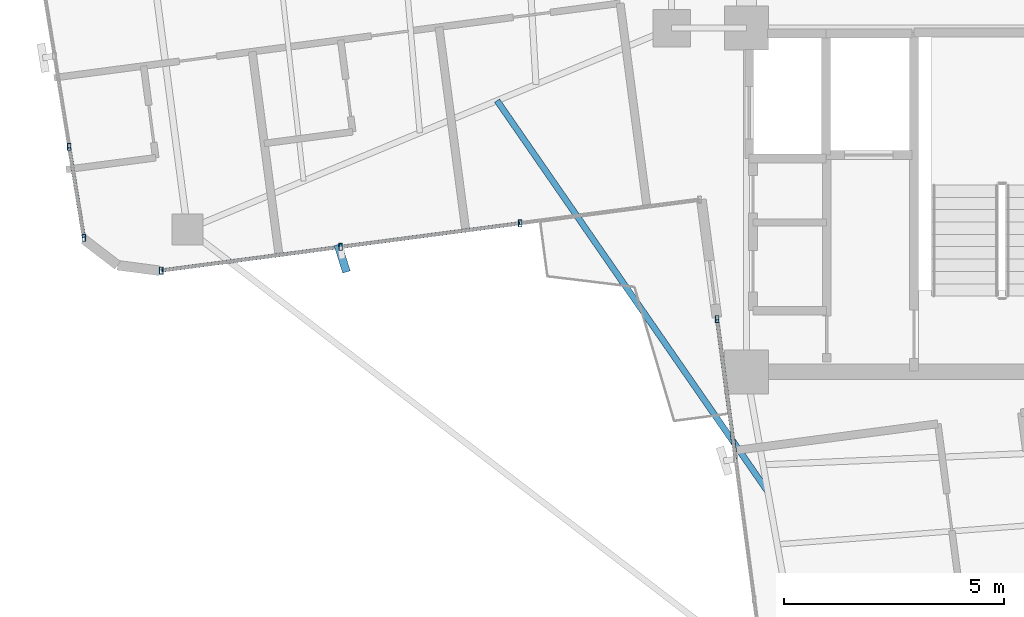
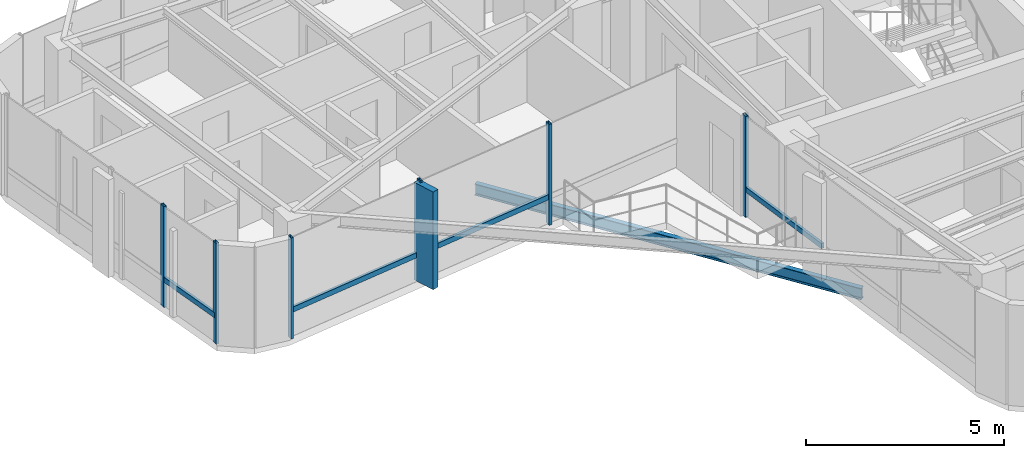
# One storey, part 2 of 23: 11 members, 1 beam, 3 elements without a shape of their own.
"""IFC4 building model written with IfcOpenShell, lengths in metres."""

from ifc_helpers import new_model, si_unit, direction, frame, origin, origin_2d, place, context, subcontext, project, spatial, rectangle, hollow_rectangle, i_section, extrude, source, transform, mapped, material, material_profile, profile_set, type_object, element, aggregate, save


model = new_model("IFC4")

# Units and contexts
model_context = context("Model", 3, precision=1e-05, world=origin(), true_north=direction((0.0, 1.0)))
body_context = subcontext(model_context, "Body", "Model", "MODEL_VIEW")
ifc_project = project(units=[si_unit("LENGTHUNIT", "METRE"), si_unit("AREAUNIT", "SQUARE_METRE"), si_unit("VOLUMEUNIT", "CUBIC_METRE"), si_unit("PLANEANGLEUNIT", "RADIAN"), si_unit("MASSUNIT", "GRAM", prefix="KILO")], contexts=[model_context])

# Site, building, storey
site_placement = place(None, origin())
site = spatial("IfcSite", under=ifc_project, at=site_placement, CompositionType="ELEMENT")
building_placement = place(site_placement, origin())
building = spatial("IfcBuilding", under=site, at=building_placement, Name="Sahyath Konkavel Grand Hotel", CompositionType="ELEMENT")
storey_placement = place(building_placement, frame((0.0, 0.0, 254.550048828125)))
storey = spatial("IfcBuildingStorey", under=building, at=storey_placement, Name="L71", CompositionType="ELEMENT", Elevation=254.550048828125)

# Curtain wall, members
ifc_material_1 = material(Name="Anodised Bronze Aluminium & Low-E Glazing", Category="aluminium")
curtain_wall_type = type_object("IfcCurtainWallType", Name="CW-ZONE4", PredefinedType="NOTDEFINED", material=ifc_material_1)
curtain_wall_1_placement = place(storey_placement, origin())
curtain_wall_1 = element("IfcCurtainWall", 1, at=curtain_wall_1_placement, inside=storey, type_object=curtain_wall_type, Name="L71 Unitised Curtain Wall F20", PredefinedType="NOTDEFINED")
ifc_material_2 = material(Name="Anodised Bronze Aluminium", Category="aluminium")
ifc_material_profile_1 = material_profile(ifc_material_2, hollow_rectangle(XDim=0.080078125, YDim=0.159912109375, WallThickness=0.006103515625, at=origin_2d()), Name="RHS 160x80x6")
ifc_profile_set_1 = profile_set([ifc_material_profile_1], Name="Anodised Bronze Aluminium")
member_type_1 = type_object("IfcMemberType", Name="CW-MUL-160", PredefinedType="MULLION", material=ifc_profile_set_1)
shared_shape_1 = source(origin(), body_context, "Body", "SweptSolid", [
    extrude(hollow_rectangle(XDim=0.080078125, YDim=0.159912109375, WallThickness=0.006103515625, at=origin_2d()), origin(), (0.0, 0.0, 1.0), 3.10986328125),
])
member_1_placement = place(storey_placement, frame((-19.16650390625, -5.09619140625, 0.0), z_axis=(0.0, 0.0, 1.0), x_axis=(1.0, 0.0, 0.0)))
member_1 = element("IfcMember", 2, at=member_1_placement, type_object=member_type_1, Name="L71 Curtain Wall Mullion F20-3", PredefinedType="MULLION", context=body_context, shape_type="MappedRepresentation", body=[
    mapped(shared_shape_1, transform((0.0, 0.0, 0.0), scale=1.0)),
])
member_2_placement = place(storey_placement, frame((-18.8330078125, -7.158447265625, 0.0), z_axis=(0.0, 0.0, 1.0), x_axis=(1.0, 0.0, 0.0)))
member_2 = element("IfcMember", 3, at=member_2_placement, type_object=member_type_1, Name="L71 Curtain Wall Mullion F20-4", PredefinedType="MULLION", context=body_context, shape_type="MappedRepresentation", body=[
    mapped(shared_shape_1, transform((0.0, 0.0, 0.0), scale=1.0)),
])

curtain_wall_2_placement = place(storey_placement, origin())
curtain_wall_2 = element("IfcCurtainWall", 4, at=curtain_wall_2_placement, inside=storey, type_object=curtain_wall_type, Name="L71 Unitised Curtain Wall F23", PredefinedType="NOTDEFINED")
member_3_placement = place(storey_placement, frame((-17.077880859375, -7.900634765625, 0.0), z_axis=(0.0, 0.0, 1.0), x_axis=(1.0, 0.0, 0.0)))
member_3 = element("IfcMember", 5, at=member_3_placement, type_object=member_type_1, Name="L71 Curtain Wall Mullion F23-0", PredefinedType="MULLION", context=body_context, shape_type="MappedRepresentation", body=[
    mapped(shared_shape_1, transform((0.0, 0.0, 0.0), scale=1.0)),
])
member_4_placement = place(storey_placement, frame((-13.006591796875, -7.36474609375, 0.0), z_axis=(0.0, 0.0, 1.0), x_axis=(1.0, 0.0, 0.0)))
member_4 = element("IfcMember", 6, at=member_4_placement, type_object=member_type_1, Name="L71 Curtain Wall Mullion F23-1", PredefinedType="MULLION", context=body_context, shape_type="MappedRepresentation", body=[
    mapped(shared_shape_1, transform((0.0, 0.0, 0.0), scale=1.0)),
])
member_5_placement = place(storey_placement, frame((-8.935546875, -6.82861328125, 0.0), z_axis=(0.0, 0.0, 1.0), x_axis=(1.0, 0.0, 0.0)))
member_5 = element("IfcMember", 7, at=member_5_placement, type_object=member_type_1, Name="L71 Curtain Wall Mullion F23-2", PredefinedType="MULLION", context=body_context, shape_type="MappedRepresentation", body=[
    mapped(shared_shape_1, transform((0.0, 0.0, 0.0), scale=1.0)),
])

# Curtain wall, member
curtain_wall_3_placement = place(storey_placement, origin())
curtain_wall_3 = element("IfcCurtainWall", 8, at=curtain_wall_3_placement, inside=storey, type_object=curtain_wall_type, Name="L71 Unitised Curtain Wall F24", PredefinedType="NOTDEFINED")
member_6_placement = place(storey_placement, frame((-4.467041015625, -9.004150390625, 0.0), z_axis=(0.0, 0.0, 1.0), x_axis=(1.0, 0.0, 0.0)))
member_6 = element("IfcMember", 9, at=member_6_placement, type_object=member_type_1, Name="L71 Curtain Wall Mullion F24-0", PredefinedType="MULLION", context=body_context, shape_type="MappedRepresentation", body=[
    mapped(shared_shape_1, transform((0.0, 0.0, 0.0), scale=1.0)),
])

# Member
ifc_material_3 = material(Name="Warm Buff Sandstone Cladding on Concrete C50/60", Category="masonry")
ifc_material_profile_2 = material_profile(ifc_material_3, rectangle(XDim=0.179931640625, YDim=0.64990234375, at=origin_2d()), Name="FIN 180x650")
ifc_profile_set_2 = profile_set([ifc_material_profile_2], Name="Warm Buff Sandstone Cladding on Concrete C50/60")
member_type_2 = type_object("IfcMemberType", Name="FIN-SANDSTONE-650", PredefinedType="MULLION", material=ifc_profile_set_2)
shared_shape_2 = source(origin(), body_context, "Body", "SweptSolid", [
    extrude(rectangle(XDim=0.179931640625, YDim=0.64990234375, at=origin_2d()), origin(), (0.0, 0.0, 1.0), 3.010009765625),
])
member_7_placement = place(storey_placement, frame((-12.97265625, -7.62255859375, 0.050048828125), z_axis=(0.0, 0.0, 1.0), x_axis=(0.954083620326, 0.299540390309, 0.0)))
member_7 = element("IfcMember", 10, at=member_7_placement, type_object=member_type_2, Name="L71 Sandstone Vertical Solar Fin FIN F23-1", PredefinedType="MULLION", context=body_context, shape_type="MappedRepresentation", body=[
    mapped(shared_shape_2, transform((0.0, 0.0, 0.0), scale=1.0)),
])

ifc_material_profile_3 = material_profile(ifc_material_2, hollow_rectangle(XDim=0.080078125, YDim=0.159912109375, WallThickness=0.006103515625, at=origin_2d()), Name="RHS 160x80x6")
ifc_profile_set_3 = profile_set([ifc_material_profile_3], Name="Anodised Bronze Aluminium")
member_type_3 = type_object("IfcMemberType", Name="CW-TRN-160", PredefinedType="USERDEFINED", material=ifc_profile_set_3)
shared_shape_3 = source(origin(), body_context, "Body", "SweptSolid", [
    extrude(hollow_rectangle(XDim=0.080078125, YDim=0.159912109375, WallThickness=0.006103515625, at=origin_2d()), origin(), (0.0, 0.0, 1.0), 3.206298828125),
])
member_8_placement = place(storey_placement, frame((-4.467041015625, -9.004150390625, 0.849853515625), z_axis=(0.130507692693, -0.991447296707, 0.0), x_axis=(0.991447296707, 0.130507692693, 0.0)))
member_8 = element("IfcMember", 11, at=member_8_placement, type_object=member_type_3, Name="L71 Curtain Wall Transom F24-0-spandrel", ObjectType="TRANSOM", PredefinedType="USERDEFINED", context=body_context, shape_type="MappedRepresentation", body=[
    mapped(shared_shape_3, transform((0.0, 0.0, 0.0), scale=1.0)),
])

aggregate(curtain_wall_3, [member_6, member_8])

shared_shape_4 = source(origin(), body_context, "Body", "SweptSolid", [
    extrude(hollow_rectangle(XDim=0.080078125, YDim=0.159912109375, WallThickness=0.006103515625, at=origin_2d()), origin(), (0.0, 0.0, 1.0), 2.089111328125),
])
member_9_placement = place(storey_placement, frame((-19.16650390625, -5.09619140625, 0.849853515625), z_axis=(0.159640274351, -0.987175254352, 0.0), x_axis=(0.987175254352, 0.159640274351, 0.0)))
member_9 = element("IfcMember", 12, at=member_9_placement, type_object=member_type_3, Name="L71 Curtain Wall Transom F20-3-spandrel", ObjectType="TRANSOM", PredefinedType="USERDEFINED", context=body_context, shape_type="MappedRepresentation", body=[
    mapped(shared_shape_4, transform((0.0, 0.0, 0.0), scale=1.0)),
])

aggregate(curtain_wall_1, [member_1, member_2, member_9])

shared_shape_5 = source(origin(), body_context, "Body", "SweptSolid", [
    extrude(hollow_rectangle(XDim=0.080078125, YDim=0.159912109375, WallThickness=0.006103515625, at=origin_2d()), origin(), (0.0, 0.0, 1.0), 4.1064453125),
])
member_10_placement = place(storey_placement, frame((-17.077880859375, -7.900634765625, 0.849853515625), z_axis=(0.991448223645, 0.13050065069, 0.0), x_axis=(-0.13050065069, 0.991448223645, 0.0)))
member_10 = element("IfcMember", 13, at=member_10_placement, type_object=member_type_3, Name="L71 Curtain Wall Transom F23-0-spandrel", ObjectType="TRANSOM", PredefinedType="USERDEFINED", context=body_context, shape_type="MappedRepresentation", body=[
    mapped(shared_shape_5, transform((0.0, 0.0, 0.0), scale=1.0)),
])

shared_shape_6 = source(origin(), body_context, "Body", "SweptSolid", [
    extrude(hollow_rectangle(XDim=0.080078125, YDim=0.159912109375, WallThickness=0.006103515625, at=origin_2d()), origin(), (0.0, 0.0, 1.0), 4.106201171875),
])
member_11_placement = place(storey_placement, frame((-13.006591796875, -7.36474609375, 0.849853515625), z_axis=(0.991439516092, 0.130566787247, 0.0), x_axis=(-0.130566787247, 0.991439516092, 0.0)))
member_11 = element("IfcMember", 14, at=member_11_placement, type_object=member_type_3, Name="L71 Curtain Wall Transom F23-1-spandrel", ObjectType="TRANSOM", PredefinedType="USERDEFINED", context=body_context, shape_type="MappedRepresentation", body=[
    mapped(shared_shape_6, transform((0.0, 0.0, 0.0), scale=1.0)),
])

aggregate(curtain_wall_2, [member_3, member_4, member_7, member_5, member_10, member_11])

# Beam
ifc_material_4 = material(Name="Steel E350", Category="steel")
ifc_material_profile_4 = material_profile(ifc_material_4, i_section(OverallWidth=0.139892578125, OverallDepth=0.35009765625, WebThickness=0.008056640625, FlangeThickness=0.01416015625, FilletRadius=0.013916015625, at=origin_2d()), Name="ISMB 350")
ifc_profile_set_4 = profile_set([ifc_material_profile_4], Name="Steel E350")
beam_type = type_object("IfcBeamType", Name="BM-BALC-CANT", PredefinedType="BEAM", material=ifc_profile_set_4)
shared_shape_7 = source(origin(), body_context, "Body", "SweptSolid", [
    extrude(i_section(OverallWidth=0.139892578125, OverallDepth=0.35009765625, WebThickness=0.008056640625, FlangeThickness=0.01416015625, FilletRadius=0.013916015625, at=origin_2d()), origin(), (0.0, 0.0, 1.0), 10.787353515625),
])
beam_placement = place(storey_placement, frame((-9.45947265625, -4.045654296875, -0.4150390625), z_axis=(0.569248815304, -0.822165303497, 0.0), x_axis=(0.822165303497, 0.569248815304, 0.0)))
element("IfcBeam", 15, at=beam_placement, inside=storey, type_object=beam_type, Name="L71 Balcony Cantilever Support Beam SW", PredefinedType="BEAM", context=body_context, shape_type="MappedRepresentation", body=[
    mapped(shared_shape_7, transform((0.0, 0.0, 0.0), scale=1.0)),
])

save(model, "model.ifc")
